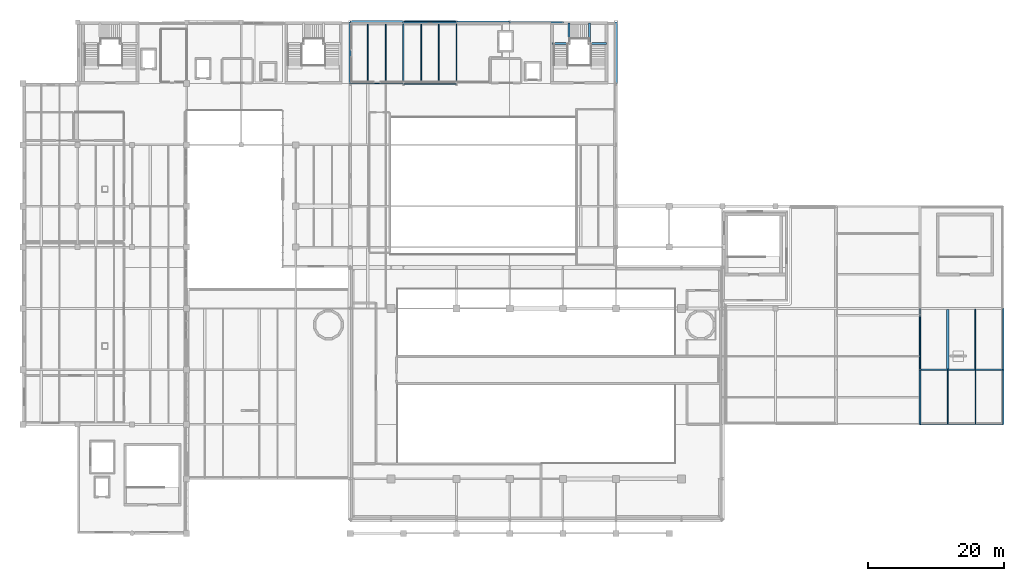
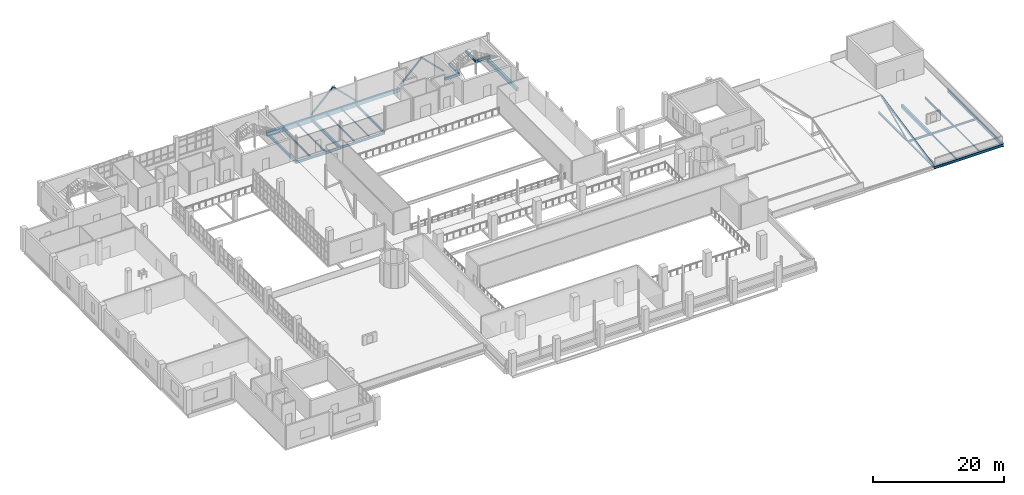
# One storey, part 43 of 85: 25 beams, 8 members.
"""IFC4 building model written with IfcOpenShell, lengths in metres."""

from ifc_helpers import new_model, si_unit, derived_unit, direction, frame, origin, origin_2d, place, context, subcontext, project, spatial, rectangle, hollow_rectangle, i_section, extrude, material, material_profile, profile_set, type_object, element, save


model = new_model("IFC4")

# Units and contexts
model_context = context("Model", 3, precision=1e-05, world=origin(), true_north=direction((0.0, 1.0)))
body_context = subcontext(model_context, "Body", "Model", "MODEL_VIEW")
ifc_project = project(units=[si_unit("LENGTHUNIT", "METRE"), si_unit("AREAUNIT", "SQUARE_METRE"), si_unit("VOLUMEUNIT", "CUBIC_METRE"), si_unit("PLANEANGLEUNIT", "RADIAN"), si_unit("MASSUNIT", "GRAM", prefix="KILO"), derived_unit("THERMALTRANSMITTANCEUNIT", [(si_unit("POWERUNIT", "WATT"), 1), (si_unit("LENGTHUNIT", "METRE"), -2), (si_unit("THERMODYNAMICTEMPERATUREUNIT", "KELVIN"), -1)])], contexts=[model_context])

# Site, building, storey
site_placement = place(None, origin())
site = spatial("IfcSite", under=ifc_project, at=site_placement, CompositionType="ELEMENT")
building_placement = place(site_placement, origin())
building = spatial("IfcBuilding", under=site, at=building_placement, Name="Nallur Shell Playhouse", CompositionType="ELEMENT")
storey_placement = place(building_placement, frame((0.0, 0.0, 19.800048828125)))
storey = spatial("IfcBuildingStorey", under=building, at=storey_placement, Name="L05", CompositionType="ELEMENT", Elevation=19.800048828125)

# Beams
ifc_material_1 = material(Name="Steel E250", Category="steel")
ifc_material_profile_1 = material_profile(ifc_material_1, i_section(OverallWidth=0.110107421875, OverallDepth=0.22509765625, WebThickness=0.006591796875, FlangeThickness=0.01171875, FilletRadius=0.011962890625, at=origin_2d()), Name="ISMB 225")
ifc_profile_set_1 = profile_set([ifc_material_profile_1], Name="Steel E250")
beam_type_1 = type_object("IfcBeamType", Name="BM-JST-ISMB225", PredefinedType="JOIST", material=ifc_profile_set_1)
beam_1_placement = place(storey_placement, frame((77.0, 74.072998046875, -0.362548828125), z_axis=(0.0, 1.0, 0.0), x_axis=(-1.0, 0.0, 0.0)))
element("IfcBeam", 1, at=beam_1_placement, inside=storey, type_object=beam_type_1, Name="L05 secondary joist 9-J-1109", PredefinedType="JOIST", context=body_context, shape_type="SweptSolid", body=[
    extrude(i_section(OverallWidth=0.110107421875, OverallDepth=0.22509765625, WebThickness=0.006591796875, FlangeThickness=0.01171875, FilletRadius=0.011962890625, at=origin_2d()), origin(), (0.0, 0.0, 1.0), 8.7041015625),
])
beam_2_placement = place(storey_placement, frame((155.7333984375, 24.097900390625, -0.362548828125), z_axis=(0.0, 1.0, 0.0), x_axis=(-1.0, 0.0, 0.0)))
element("IfcBeam", 2, at=beam_2_placement, inside=storey, type_object=beam_type_1, Name="L05 secondary joist 18-C-1115", PredefinedType="JOIST", context=body_context, shape_type="SweptSolid", body=[
    extrude(i_section(OverallWidth=0.110107421875, OverallDepth=0.22509765625, WebThickness=0.006591796875, FlangeThickness=0.01171875, FilletRadius=0.011962890625, at=origin_2d()), origin(), (0.0, 0.0, 1.0), 7.80419921875),
])
ifc_material_profile_2 = material_profile(ifc_material_1, i_section(OverallWidth=0.125, OverallDepth=0.25, WebThickness=0.0068359375, FlangeThickness=0.012451171875, FilletRadius=0.012939453125, at=origin_2d()), Name="ISMB 250")
ifc_profile_set_2 = profile_set([ifc_material_profile_2], Name="Steel E250")
beam_type_2 = type_object("IfcBeamType", Name="BM-JST-ISMB250", PredefinedType="JOIST", material=ifc_profile_set_2)
beam_3_placement = place(storey_placement, frame((74.39990234375, 74.072998046875, -0.375), z_axis=(0.0, 1.0, 0.0), x_axis=(-1.0, 0.0, 0.0)))
element("IfcBeam", 3, at=beam_3_placement, inside=storey, type_object=beam_type_2, Name="L05 secondary joist 9-J-1108", PredefinedType="JOIST", context=body_context, shape_type="SweptSolid", body=[
    extrude(i_section(OverallWidth=0.125, OverallDepth=0.25, WebThickness=0.0068359375, FlangeThickness=0.012451171875, FilletRadius=0.012939453125, at=origin_2d()), origin(), (0.0, 0.0, 1.0), 8.7041015625),
])
beam_4_placement = place(storey_placement, frame((151.666748046875, 24.097900390625, -0.375), z_axis=(0.0, 1.0, 0.0), x_axis=(-1.0, 0.0, 0.0)))
element("IfcBeam", 4, at=beam_4_placement, inside=storey, type_object=beam_type_2, Name="L05 secondary joist 18-C-1114", PredefinedType="JOIST", context=body_context, shape_type="SweptSolid", body=[
    extrude(i_section(OverallWidth=0.125, OverallDepth=0.25, WebThickness=0.0068359375, FlangeThickness=0.012451171875, FilletRadius=0.012939453125, at=origin_2d()), origin(), (0.0, 0.0, 1.0), 7.80419921875),
])
ifc_material_profile_3 = material_profile(ifc_material_1, i_section(OverallWidth=0.139892578125, OverallDepth=0.300048828125, WebThickness=0.0078125, FlangeThickness=0.01318359375, FilletRadius=0.013916015625, at=origin_2d()), Name="ISMB 300")
ifc_profile_set_3 = profile_set([ifc_material_profile_3], Name="Steel E250")
beam_type_3 = type_object("IfcBeamType", Name="BM-JST-ISMB300", PredefinedType="JOIST", material=ifc_profile_set_3)
beam_5_placement = place(storey_placement, frame((69.199951171875, 74.087890625, -0.400146484375), z_axis=(0.0, 1.0, 0.0), x_axis=(-1.0, 0.0, 0.0)))
element("IfcBeam", 5, at=beam_5_placement, inside=storey, type_object=beam_type_3, Name="L05 secondary joist 8-J-1107", PredefinedType="JOIST", context=body_context, shape_type="SweptSolid", body=[
    extrude(i_section(OverallWidth=0.139892578125, OverallDepth=0.300048828125, WebThickness=0.0078125, FlangeThickness=0.01318359375, FilletRadius=0.013916015625, at=origin_2d()), origin(), (0.0, 0.0, 1.0), 8.6640625),
])
ifc_material_profile_4 = material_profile(ifc_material_1, i_section(OverallWidth=0.139892578125, OverallDepth=0.35009765625, WebThickness=0.008056640625, FlangeThickness=0.01416015625, FilletRadius=0.013916015625, at=origin_2d()), Name="ISMB 350")
ifc_profile_set_4 = profile_set([ifc_material_profile_4], Name="Steel E250")
beam_type_4 = type_object("IfcBeamType", Name="BM-JST-ISMB350", PredefinedType="JOIST", material=ifc_profile_set_4)
beam_6_placement = place(storey_placement, frame((66.60009765625, 74.087890625, -0.425048828125), z_axis=(0.0, 1.0, 0.0), x_axis=(-1.0, 0.0, 0.0)))
element("IfcBeam", 6, at=beam_6_placement, inside=storey, type_object=beam_type_4, Name="L05 secondary joist 8-J-1106", PredefinedType="JOIST", context=body_context, shape_type="SweptSolid", body=[
    extrude(i_section(OverallWidth=0.139892578125, OverallDepth=0.35009765625, WebThickness=0.008056640625, FlangeThickness=0.01416015625, FilletRadius=0.013916015625, at=origin_2d()), origin(), (0.0, 0.0, 1.0), 8.6640625),
])
ifc_material_profile_5 = material_profile(ifc_material_1, i_section(OverallWidth=0.139892578125, OverallDepth=0.39990234375, WebThickness=0.0087890625, FlangeThickness=0.01611328125, FilletRadius=0.013916015625, at=origin_2d()), Name="ISMB 400")
ifc_profile_set_5 = profile_set([ifc_material_profile_5], Name="Steel E250")
beam_type_5 = type_object("IfcBeamType", Name="BM-JST-ISMB400", PredefinedType="JOIST", material=ifc_profile_set_5)
beam_7_placement = place(storey_placement, frame((155.7333984375, 32.097900390625, -0.449951171875), z_axis=(0.0, 1.0, 0.0), x_axis=(-1.0, 0.0, 0.0)))
element("IfcBeam", 7, at=beam_7_placement, inside=storey, type_object=beam_type_5, Name="L05 secondary joist 18-D-1117", PredefinedType="JOIST", context=body_context, shape_type="SweptSolid", body=[
    extrude(i_section(OverallWidth=0.139892578125, OverallDepth=0.39990234375, WebThickness=0.0087890625, FlangeThickness=0.01611328125, FilletRadius=0.013916015625, at=origin_2d()), origin(), (0.0, 0.0, 1.0), 8.779052734375),
])
ifc_material_2 = material(Name="Concrete M30", Category="concrete")
ifc_material_profile_6 = material_profile(ifc_material_2, rectangle(XDim=0.35009765625, YDim=0.60009765625, at=origin_2d()), Name="RC 350x600")
ifc_profile_set_6 = profile_set([ifc_material_profile_6], Name="Concrete M30")
beam_type_6 = type_object("IfcBeamType", Name="BM-RC-350x600", PredefinedType="JOIST", material=ifc_profile_set_6)
beam_8_placement = place(storey_placement, frame((151.666748046875, 32.097900390625, -0.550048828125), z_axis=(0.0, 1.0, 0.0), x_axis=(-1.0, 0.0, 0.0)))
element("IfcBeam", 8, at=beam_8_placement, inside=storey, type_object=beam_type_6, Name="L05 secondary joist 18-D-1116", PredefinedType="JOIST", context=body_context, shape_type="SweptSolid", body=[
    extrude(rectangle(XDim=0.35009765625, YDim=0.60009765625, at=origin_2d()), origin(), (0.0, 0.0, 1.0), 8.779052734375),
])
ifc_material_3 = material(Name="Concrete M35", Category="concrete")
ifc_material_profile_7 = material_profile(ifc_material_3, rectangle(XDim=0.39990234375, YDim=0.64990234375, at=origin_2d()), Name="RC 400x650")
ifc_profile_set_7 = profile_set([ifc_material_profile_7], Name="Concrete M35")
beam_type_7 = type_object("IfcBeamType", Name="BM-RC-400x650", PredefinedType="BEAM", material=ifc_profile_set_7)
beam_9_placement = place(storey_placement, frame((79.60009765625, 83.0, -0.574951171875), z_axis=(1.0, 0.0, 0.0), x_axis=(0.0, 1.0, 0.0)))
element("IfcBeam", 9, at=beam_9_placement, inside=storey, type_object=beam_type_7, Name="L05 girder X-K-991", PredefinedType="BEAM", context=body_context, shape_type="SweptSolid", body=[
    extrude(rectangle(XDim=0.39990234375, YDim=0.64990234375, at=origin_2d()), origin(), (0.0, 0.0, 1.0), 7.7998046875),
])
beam_10_placement = place(storey_placement, frame((103.0, 74.0, -0.574951171875), z_axis=(0.0, 1.0, 0.0), x_axis=(-1.0, 0.0, 0.0)))
element("IfcBeam", 10, at=beam_10_placement, inside=storey, type_object=beam_type_7, Name="L05 girder Y-13-1039", PredefinedType="BEAM", context=body_context, shape_type="SweptSolid", body=[
    extrude(rectangle(XDim=0.39990234375, YDim=0.64990234375, at=origin_2d()), origin(), (0.0, 0.0, 1.0), 9.0),
])
ifc_material_profile_8 = material_profile(ifc_material_3, rectangle(XDim=0.449951171875, YDim=0.75, at=origin_2d()), Name="RC 450x750")
ifc_profile_set_8 = profile_set([ifc_material_profile_8], Name="Concrete M35")
beam_type_8 = type_object("IfcBeamType", Name="BM-RC-450x750", PredefinedType="BEAM", material=ifc_profile_set_8)
beam_11_placement = place(storey_placement, frame((71.800048828125, 83.0, -0.625), z_axis=(1.0, 0.0, 0.0), x_axis=(0.0, 1.0, 0.0)))
element("IfcBeam", 11, at=beam_11_placement, inside=storey, type_object=beam_type_8, Name="L05 girder X-K-990", PredefinedType="BEAM", context=body_context, shape_type="SweptSolid", body=[
    extrude(rectangle(XDim=0.449951171875, YDim=0.75, at=origin_2d()), origin(), (0.0, 0.0, 1.0), 7.800048828125),
])
ifc_material_4 = material(Name="Concrete M40", Category="concrete")
ifc_material_profile_9 = material_profile(ifc_material_4, rectangle(XDim=0.5, YDim=0.85009765625, at=origin_2d()), Name="RC 500x850")
ifc_profile_set_9 = profile_set([ifc_material_profile_9], Name="Concrete M40")
beam_type_9 = type_object("IfcBeamType", Name="BM-RC-500x850", PredefinedType="BEAM", material=ifc_profile_set_9)
beam_12_placement = place(storey_placement, frame((64.0, 83.0, -0.675048828125), z_axis=(1.0, 0.0, 0.0), x_axis=(0.0, 1.0, 0.0)))
element("IfcBeam", 12, at=beam_12_placement, inside=storey, type_object=beam_type_9, Name="L05 girder X-K-989", PredefinedType="BEAM", context=body_context, shape_type="SweptSolid", body=[
    extrude(rectangle(XDim=0.5, YDim=0.85009765625, at=origin_2d()), origin(), (0.0, 0.0, 1.0), 7.800048828125),
])
ifc_material_profile_10 = material_profile(ifc_material_3, rectangle(XDim=0.300048828125, YDim=0.449951171875, at=origin_2d()), Name="RC 300x450")
ifc_profile_set_10 = profile_set([ifc_material_profile_10], Name="Concrete M35")
beam_type_10 = type_object("IfcBeamType", Name="BM-SPN-300x450", PredefinedType="SPANDREL", material=ifc_profile_set_10)
beam_13_placement = place(storey_placement, frame((64.0, 74.0, -0.47509765625), z_axis=(0.0, 1.0, 0.0), x_axis=(-1.0, 0.0, 0.0)))
element("IfcBeam", 13, at=beam_13_placement, inside=storey, type_object=beam_type_10, Name="L05 girder Y-8-1024", PredefinedType="SPANDREL", context=body_context, shape_type="SweptSolid", body=[
    extrude(rectangle(XDim=0.300048828125, YDim=0.449951171875, at=origin_2d()), origin(), (0.0, 0.0, 1.0), 9.0),
])
beam_14_placement = place(storey_placement, frame((93.6201171875, 79.8798828125, 1.121826171875), z_axis=(1.0, 0.0, 0.0), x_axis=(0.0, 1.0, 0.0)))
element("IfcBeam", 14, at=beam_14_placement, inside=storey, type_object=beam_type_10, Name="Stair ST-04-L05 L1 south bearer beam", PredefinedType="SPANDREL", context=body_context, shape_type="SweptSolid", body=[
    extrude(rectangle(XDim=0.300048828125, YDim=0.449951171875, at=origin_2d()), origin(), (0.0, 0.0, 1.0), 2.559814453125),
])
beam_15_placement = place(storey_placement, frame((96.1201171875, 79.8798828125, 1.121826171875), z_axis=(0.0, 1.0, 0.0), x_axis=(-1.0, 0.0, 0.0)))
element("IfcBeam", 15, at=beam_15_placement, inside=storey, type_object=beam_type_10, Name="Stair ST-04-L05 L1 east bearer beam", PredefinedType="SPANDREL", context=body_context, shape_type="SweptSolid", body=[
    extrude(rectangle(XDim=0.300048828125, YDim=0.449951171875, at=origin_2d()), origin(), (0.0, 0.0, 1.0), 3.0),
])
beam_16_placement = place(storey_placement, frame((99.02001953125, 79.8798828125, 2.528076171875), z_axis=(1.0, 0.0, 0.0), x_axis=(0.0, 1.0, 0.0)))
element("IfcBeam", 16, at=beam_16_placement, inside=storey, type_object=beam_type_10, Name="Stair ST-04-L05 L2 south bearer beam", PredefinedType="SPANDREL", context=body_context, shape_type="SweptSolid", body=[
    extrude(rectangle(XDim=0.300048828125, YDim=0.449951171875, at=origin_2d()), origin(), (0.0, 0.0, 1.0), 2.56005859375),
])
beam_17_placement = place(storey_placement, frame((99.080078125, 79.8798828125, 2.528076171875), z_axis=(0.0, 1.0, 0.0), x_axis=(-1.0, 0.0, 0.0)))
element("IfcBeam", 17, at=beam_17_placement, inside=storey, type_object=beam_type_10, Name="Stair ST-04-L05 L2 west bearer beam", PredefinedType="SPANDREL", context=body_context, shape_type="SweptSolid", body=[
    extrude(rectangle(XDim=0.300048828125, YDim=0.449951171875, at=origin_2d()), origin(), (0.0, 0.0, 1.0), 3.0),
])
ifc_material_5 = material(Name="Steel E350", Category="steel")
ifc_material_profile_11 = material_profile(ifc_material_5, i_section(OverallWidth=0.14990234375, OverallDepth=0.449951171875, WebThickness=0.009521484375, FlangeThickness=0.017333984375, FilletRadius=0.014892578125, at=origin_2d()), Name="ISMB 450")
ifc_profile_set_11 = profile_set([ifc_material_profile_11], Name="Steel E350")
beam_type_11 = type_object("IfcBeamType", Name="BM-ST-ISMB450", PredefinedType="BEAM", material=ifc_profile_set_11)
beam_18_placement = place(storey_placement, frame((71.800048828125, 74.0, -0.47509765625), z_axis=(1.0, 0.0, 0.0), x_axis=(0.0, 1.0, 0.0)))
element("IfcBeam", 18, at=beam_18_placement, inside=storey, type_object=beam_type_11, Name="L05 girder X-J-987", PredefinedType="BEAM", context=body_context, shape_type="SweptSolid", body=[
    extrude(i_section(OverallWidth=0.14990234375, OverallDepth=0.449951171875, WebThickness=0.009521484375, FlangeThickness=0.017333984375, FilletRadius=0.014892578125, at=origin_2d()), origin(), (0.0, 0.0, 1.0), 7.800048828125),
])
ifc_material_profile_12 = material_profile(ifc_material_5, i_section(OverallWidth=0.179931640625, OverallDepth=0.5, WebThickness=0.01025390625, FlangeThickness=0.01708984375, FilletRadius=0.01708984375, at=origin_2d()), Name="ISMB 500")
ifc_profile_set_12 = profile_set([ifc_material_profile_12], Name="Steel E350")
beam_type_12 = type_object("IfcBeamType", Name="BM-ST-ISMB500", PredefinedType="BEAM", material=ifc_profile_set_12)
beam_19_placement = place(storey_placement, frame((64.0, 74.0, -0.5), z_axis=(1.0, 0.0, 0.0), x_axis=(0.0, 1.0, 0.0)))
element("IfcBeam", 19, at=beam_19_placement, inside=storey, type_object=beam_type_12, Name="L05 girder X-J-986", PredefinedType="BEAM", context=body_context, shape_type="SweptSolid", body=[
    extrude(i_section(OverallWidth=0.179931640625, OverallDepth=0.5, WebThickness=0.01025390625, FlangeThickness=0.01708984375, FilletRadius=0.01708984375, at=origin_2d()), origin(), (0.0, 0.0, 1.0), 7.800048828125),
])
ifc_material_profile_13 = material_profile(ifc_material_5, i_section(OverallWidth=0.199951171875, OverallDepth=0.35009765625, WebThickness=0.008056640625, FlangeThickness=0.011474609375, FilletRadius=0.011962890625, at=origin_2d()), Name="ISWB 350")
ifc_profile_set_13 = profile_set([ifc_material_profile_13], Name="Steel E350")
beam_type_13 = type_object("IfcBeamType", Name="BM-ST-ISWB350", PredefinedType="BEAM", material=ifc_profile_set_13)
beam_20_placement = place(storey_placement, frame((147.60009765625, 32.0, -0.425048828125), z_axis=(1.0, 0.0, 0.0), x_axis=(0.0, 1.0, 0.0)))
element("IfcBeam", 20, at=beam_20_placement, inside=storey, type_object=beam_type_13, Name="L05 girder X-D-950", PredefinedType="BEAM", context=body_context, shape_type="SweptSolid", body=[
    extrude(i_section(OverallWidth=0.199951171875, OverallDepth=0.35009765625, WebThickness=0.008056640625, FlangeThickness=0.011474609375, FilletRadius=0.011962890625, at=origin_2d()), origin(), (0.0, 0.0, 1.0), 12.199951171875),
])
ifc_material_profile_14 = material_profile(ifc_material_5, i_section(OverallWidth=0.199951171875, OverallDepth=0.449951171875, WebThickness=0.00927734375, FlangeThickness=0.015380859375, FilletRadius=0.013916015625, at=origin_2d()), Name="ISWB 450")
ifc_profile_set_14 = profile_set([ifc_material_profile_14], Name="Steel E350")
beam_type_14 = type_object("IfcBeamType", Name="BM-ST-ISWB450", PredefinedType="BEAM", material=ifc_profile_set_14)
beam_21_placement = place(storey_placement, frame((147.60009765625, 24.0, -0.47509765625), z_axis=(1.0, 0.0, 0.0), x_axis=(0.0, 1.0, 0.0)))
element("IfcBeam", 21, at=beam_21_placement, inside=storey, type_object=beam_type_14, Name="L05 girder X-C-948", PredefinedType="BEAM", context=body_context, shape_type="SweptSolid", body=[
    extrude(i_section(OverallWidth=0.199951171875, OverallDepth=0.449951171875, WebThickness=0.00927734375, FlangeThickness=0.015380859375, FilletRadius=0.013916015625, at=origin_2d()), origin(), (0.0, 0.0, 1.0), 12.199951171875),
])
beam_22_placement = place(storey_placement, frame((79.60009765625, 74.0, -0.47509765625), z_axis=(0.0, 1.0, 0.0), x_axis=(-1.0, 0.0, 0.0)))
element("IfcBeam", 22, at=beam_22_placement, inside=storey, type_object=beam_type_14, Name="L05 girder Y-10-1028", PredefinedType="BEAM", context=body_context, shape_type="SweptSolid", body=[
    extrude(i_section(OverallWidth=0.199951171875, OverallDepth=0.449951171875, WebThickness=0.00927734375, FlangeThickness=0.015380859375, FilletRadius=0.013916015625, at=origin_2d()), origin(), (0.0, 0.0, 1.0), 9.0),
])
ifc_material_profile_15 = material_profile(ifc_material_5, i_section(OverallWidth=0.25, OverallDepth=0.550048828125, WebThickness=0.010498046875, FlangeThickness=0.017578125, FilletRadius=0.01611328125, at=origin_2d()), Name="ISWB 550")
ifc_profile_set_15 = profile_set([ifc_material_profile_15], Name="Steel E350")
beam_type_15 = type_object("IfcBeamType", Name="BM-ST-ISWB550", PredefinedType="BEAM", material=ifc_profile_set_15)
beam_23_placement = place(storey_placement, frame((159.800048828125, 32.0, -0.525146484375), z_axis=(0.0, 1.0, 0.0), x_axis=(-1.0, 0.0, 0.0)))
element("IfcBeam", 23, at=beam_23_placement, inside=storey, type_object=beam_type_15, Name="L05 girder Y-19-1042", PredefinedType="BEAM", context=body_context, shape_type="SweptSolid", body=[
    extrude(i_section(OverallWidth=0.25, OverallDepth=0.550048828125, WebThickness=0.010498046875, FlangeThickness=0.017578125, FilletRadius=0.01611328125, at=origin_2d()), origin(), (0.0, 0.0, 1.0), 9.0),
])
ifc_material_profile_16 = material_profile(ifc_material_5, i_section(OverallWidth=0.25, OverallDepth=0.60009765625, WebThickness=0.01171875, FlangeThickness=0.023681640625, FilletRadius=0.01708984375, at=origin_2d()), Name="ISWB 600")
ifc_profile_set_16 = profile_set([ifc_material_profile_16], Name="Steel E350")
beam_type_16 = type_object("IfcBeamType", Name="BM-ST-ISWB600", PredefinedType="BEAM", material=ifc_profile_set_16)
beam_24_placement = place(storey_placement, frame((71.800048828125, 74.0, -0.550048828125), z_axis=(0.0, 1.0, 0.0), x_axis=(-1.0, 0.0, 0.0)))
element("IfcBeam", 24, at=beam_24_placement, inside=storey, type_object=beam_type_16, Name="L05 girder Y-9-1025", PredefinedType="BEAM", context=body_context, shape_type="SweptSolid", body=[
    extrude(i_section(OverallWidth=0.25, OverallDepth=0.60009765625, WebThickness=0.01171875, FlangeThickness=0.023681640625, FilletRadius=0.01708984375, at=origin_2d()), origin(), (0.0, 0.0, 1.0), 9.0),
])
beam_25_placement = place(storey_placement, frame((159.800048828125, 24.0, -0.550048828125), z_axis=(0.0, 1.0, 0.0), x_axis=(-1.0, 0.0, 0.0)))
element("IfcBeam", 25, at=beam_25_placement, inside=storey, type_object=beam_type_16, Name="L05 girder Y-19-1041", PredefinedType="BEAM", context=body_context, shape_type="SweptSolid", body=[
    extrude(i_section(OverallWidth=0.25, OverallDepth=0.60009765625, WebThickness=0.01171875, FlangeThickness=0.023681640625, FilletRadius=0.01708984375, at=origin_2d()), origin(), (0.0, 0.0, 1.0), 8.0),
])

# Members
ifc_material_profile_17 = material_profile(ifc_material_5, hollow_rectangle(XDim=0.219970703125, YDim=0.219970703125, WallThickness=0.011962890625, at=origin_2d()), Name="SHS 220x220x12")
ifc_profile_set_17 = profile_set([ifc_material_profile_17], Name="Steel E350")
member_type_1 = type_object("IfcMemberType", Name="MB-FT-BRACE2", PredefinedType="BRACE", material=ifc_profile_set_17)
member_1_placement = place(storey_placement, frame((71.800048828125, 83.0, 0.14990234375), z_axis=(0.711636245492, 0.0, 0.702548115151), x_axis=(0.0, 1.0, 0.0)))
element("IfcMember", 26, at=member_1_placement, inside=storey, type_object=member_type_1, Name="Stage fly tower concentric brace BR-FT-L05-037", PredefinedType="BRACE", context=body_context, shape_type="SweptSolid", body=[
    extrude(hollow_rectangle(XDim=0.219970703125, YDim=0.219970703125, WallThickness=0.011962890625, at=origin_2d()), origin(), (0.0, 0.0, 1.0), 5.480224609375),
])
for number, where, z_axis, x_axis, name in (
    (27, (79.60009765625, 83.0, 0.14990234375), (-0.711658232993, 0.0, 0.702525842523), (0.0, -1.0, 0.0), "Stage fly tower concentric brace BR-FT-L05-038"),
    (28, (87.39990234375, 83.0, 0.14990234375), (0.711658232993, 0.0, 0.702525842523), (0.0, 1.0, 0.0), "Stage fly tower concentric brace BR-FT-L05-039"),
):
    element("IfcMember", number, at=place(storey_placement, frame(where, z_axis=z_axis, x_axis=x_axis)), inside=storey, type_object=member_type_1, Name=name, PredefinedType="BRACE", context=body_context, shape_type="SweptSolid", body=[
        extrude(hollow_rectangle(XDim=0.219970703125, YDim=0.219970703125, WallThickness=0.011962890625, at=origin_2d()), origin(), (0.0, 0.0, 1.0), 5.48046875),
    ])
member_2_placement = place(storey_placement, frame((95.199951171875, 83.0, 0.14990234375), z_axis=(-0.711636245492, 0.0, 0.702548115151), x_axis=(0.0, -1.0, 0.0)))
element("IfcMember", 29, at=member_2_placement, inside=storey, type_object=member_type_1, Name="Stage fly tower concentric brace BR-FT-L05-040", PredefinedType="BRACE", context=body_context, shape_type="SweptSolid", body=[
    extrude(hollow_rectangle(XDim=0.219970703125, YDim=0.219970703125, WallThickness=0.011962890625, at=origin_2d()), origin(), (0.0, 0.0, 1.0), 5.480224609375),
])
ifc_material_profile_18 = material_profile(ifc_material_5, hollow_rectangle(XDim=0.199951171875, YDim=0.300048828125, WallThickness=0.011962890625, at=origin_2d()), Name="RHS 300x200x12")
ifc_profile_set_18 = profile_set([ifc_material_profile_18], Name="Steel E350")
member_type_2 = type_object("IfcMemberType", Name="MB-TR-CHORD1", PredefinedType="CHORD", material=ifc_profile_set_18)
member_3_placement = place(storey_placement, frame((147.60009765625, 24.0, -0.199951171875), z_axis=(0.0, 0.979376403383, 0.202044204311), x_axis=(-1.0, 0.0, 0.0)))
element("IfcMember", 30, at=member_3_placement, inside=storey, type_object=member_type_2, Name="ROOF TRUSS Studio south top chord X=147.6", PredefinedType="CHORD", context=body_context, shape_type="SweptSolid", body=[
    extrude(hollow_rectangle(XDim=0.199951171875, YDim=0.300048828125, WallThickness=0.011962890625, at=origin_2d()), origin(), (0.0, 0.0, 1.0), 16.3369140625),
])
ifc_material_profile_19 = material_profile(ifc_material_5, i_section(OverallWidth=0.25, OverallDepth=0.25, WebThickness=0.0087890625, FlangeThickness=0.009765625, FilletRadius=0.010009765625, at=origin_2d()), Name="ISHB 250")
ifc_profile_set_19 = profile_set([ifc_material_profile_19], Name="Steel E350")
member_type_3 = type_object("IfcMemberType", Name="MB-TR-CHORD2", PredefinedType="CHORD", material=ifc_profile_set_19)
member_4_placement = place(storey_placement, frame((147.60009765625, 24.0, -0.380126953125), z_axis=(0.0, 1.0, 0.0), x_axis=(-1.0, 0.0, 0.0)))
element("IfcMember", 31, at=member_4_placement, inside=storey, type_object=member_type_3, Name="ROOF TRUSS Studio bottom chord X=147.6 (24.0-32.0)", PredefinedType="CHORD", context=body_context, shape_type="SweptSolid", body=[
    extrude(i_section(OverallWidth=0.25, OverallDepth=0.25, WebThickness=0.0087890625, FlangeThickness=0.009765625, FilletRadius=0.010009765625, at=origin_2d()), origin(), (0.0, 0.0, 1.0), 8.0),
])
member_5_placement = place(storey_placement, frame((147.60009765625, 32.0, -0.380126953125), z_axis=(0.0, 1.0, 0.0), x_axis=(-1.0, 0.0, 0.0)))
element("IfcMember", 32, at=member_5_placement, inside=storey, type_object=member_type_3, Name="ROOF TRUSS Studio bottom chord X=147.6 (32.0-41.0)", PredefinedType="CHORD", context=body_context, shape_type="SweptSolid", body=[
    extrude(i_section(OverallWidth=0.25, OverallDepth=0.25, WebThickness=0.0087890625, FlangeThickness=0.009765625, FilletRadius=0.010009765625, at=origin_2d()), origin(), (0.0, 0.0, 1.0), 9.0),
])
ifc_material_profile_20 = material_profile(ifc_material_5, hollow_rectangle(XDim=0.179931640625, YDim=0.179931640625, WallThickness=0.010009765625, at=origin_2d()), Name="SHS 180x180x10")
ifc_profile_set_20 = profile_set([ifc_material_profile_20], Name="Steel E350")
member_type_4 = type_object("IfcMemberType", Name="MB-TR-WEB1", PredefinedType="BRACE", material=ifc_profile_set_20)
member_6_placement = place(storey_placement, frame((147.60009765625, 32.0, -0.380126953125), z_axis=(0.0, 0.916957018469, 0.398985997599), x_axis=(-1.0, 0.0, 0.0)))
element("IfcMember", 33, at=member_6_placement, inside=storey, type_object=member_type_4, Name="ROOF TRUSS Studio web diagonal 147.6.1", PredefinedType="BRACE", context=body_context, shape_type="SweptSolid", body=[
    extrude(hollow_rectangle(XDim=0.179931640625, YDim=0.179931640625, WallThickness=0.010009765625, at=origin_2d()), origin(), (0.0, 0.0, 1.0), 8.724609375),
])

save(model, "model.ifc")
